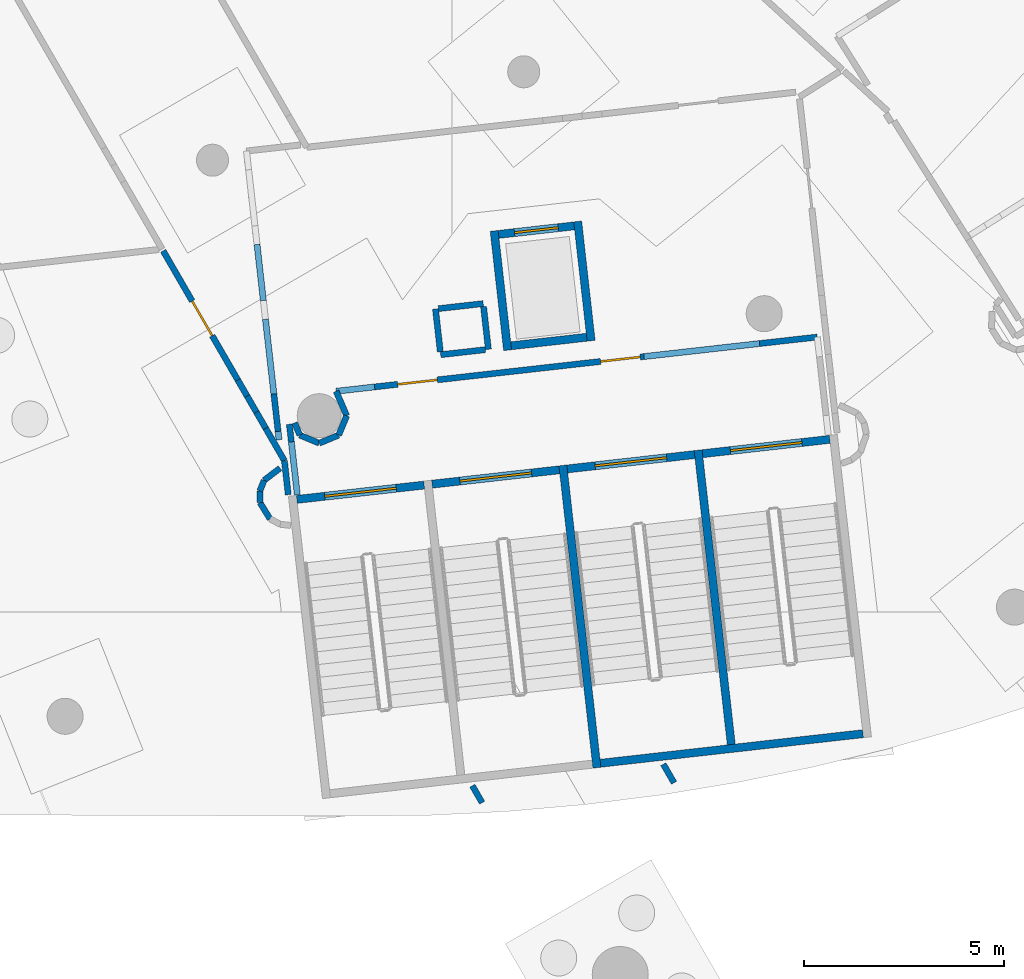
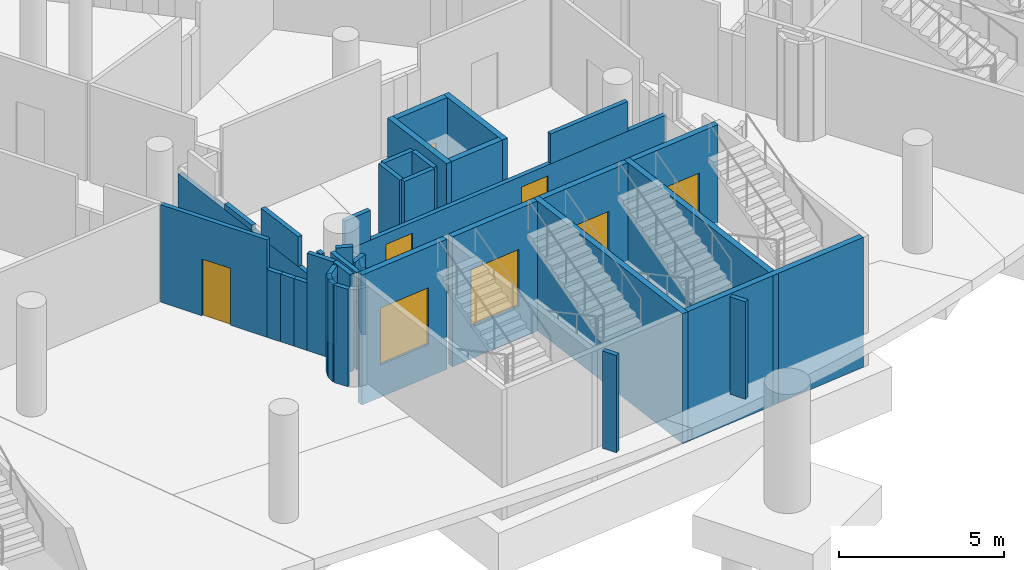
# One storey, part 52 of 142: 41 walls, 8 doors, 8 openings.
"""IFC4 building model written with IfcOpenShell, lengths in metres."""

from ifc_helpers import new_model, si_unit, direction, frame, frame_2d, origin, place, context, subcontext, project, spatial, rectangle, extrude, material, layer, layer_set, type_object, element, fill, save


model = new_model("IFC4")

# Units and contexts
model_context = context("Model", 3, precision=1e-05, world=origin(), true_north=direction((0.0, 1.0)))
body_context = subcontext(model_context, "Body", "Model", "MODEL_VIEW")
ifc_project = project(units=[si_unit("LENGTHUNIT", "METRE"), si_unit("AREAUNIT", "SQUARE_METRE"), si_unit("VOLUMEUNIT", "CUBIC_METRE"), si_unit("PLANEANGLEUNIT", "RADIAN"), si_unit("MASSUNIT", "GRAM", prefix="KILO")], contexts=[model_context])

# Site, building, storey
site_placement = place(None, origin())
site = spatial("IfcSite", under=ifc_project, at=site_placement, CompositionType="ELEMENT")
building_placement = place(site_placement, origin())
building = spatial("IfcBuilding", under=site, at=building_placement, Name="Meseta Stadium", CompositionType="ELEMENT")
storey_placement = place(building_placement, frame((0.0, 0.0, -4.0)))
storey = spatial("IfcBuildingStorey", under=building, at=storey_placement, Name="B1", CompositionType="ELEMENT", Elevation=-4.0)

# Walls
ifc_material_1 = material(Name="Concrete C40/50", Category="concrete")
ifc_layer_1 = layer(ifc_material_1, 0.199951171875)
ifc_layer_set_1 = layer_set([ifc_layer_1], Name="Core divider wall 200")
wall_type_1 = type_object("IfcWallType", Name="Core divider wall 200", PredefinedType="SHEAR", material=ifc_layer_set_1)
wall_1_placement = place(storey_placement, frame((54.999267578125, -99.503662109375, -1.199951171875), z_axis=(0.0, 0.0, 1.0), x_axis=(-0.111982724367, 0.993710153638, 0.0)))
element("IfcWall", 1, at=wall_1_placement, inside=storey, type_object=wall_type_1, Name="Core 26 B1 stair B divider wall", PredefinedType="SHEAR", context=body_context, shape_type="SweptSolid", body=[
    extrude(rectangle(XDim=7.60009765625, YDim=0.199951171875, at=frame_2d((3.800048828125, 0.0))), origin(), (0.0, 0.0, 1.0), 4.800048828125),
])
ifc_material_2 = material(Name="Concrete C40/50", Category="concrete")
ifc_layer_2 = layer(ifc_material_2, 0.199951171875)
ifc_layer_set_2 = layer_set([ifc_layer_2], Name="Core shaft wall 200")
wall_type_2 = type_object("IfcWallType", Name="Core shaft wall 200", PredefinedType="SHEAR", material=ifc_layer_set_2)
wall_2_placement = place(storey_placement, frame((51.62060546875, -99.884521484375, -1.199951171875), z_axis=(0.0, 0.0, 1.0), x_axis=(-0.111947429915, 0.993714130389, 0.0)))
element("IfcWall", 2, at=wall_2_placement, inside=storey, type_object=wall_type_2, Name="Core 26 B1 stair wall shared", PredefinedType="SHEAR", context=body_context, shape_type="SweptSolid", body=[
    extrude(rectangle(XDim=7.600341796875, YDim=0.199951171875, at=frame_2d((3.80029296875, 0.0))), origin(), (0.0, 0.0, 1.0), 4.800048828125),
])
wall_3_placement = place(storey_placement, frame((51.708740234375, -99.773681640625, -1.199951171875), z_axis=(0.0, 0.0, 1.0), x_axis=(0.993715690617, 0.111933579504, 0.0)))
element("IfcWall", 3, at=wall_3_placement, inside=storey, type_object=wall_type_2, Name="Core 26 B1 stair B outer end wall", PredefinedType="SHEAR", context=body_context, shape_type="SweptSolid", body=[
    extrude(rectangle(XDim=6.60009765625, YDim=0.199951171875, at=frame_2d((3.300048828125, 0.0))), origin(), (0.0, 0.0, 1.0), 4.800048828125),
])

# Wall, opening, door
wall_4_placement = place(storey_placement, frame((44.123046875, -93.181640625, -1.199951171875), z_axis=(0.0, 0.0, 1.0), x_axis=(0.993717005286, 0.11192190762, 0.0)))
wall_4 = element("IfcWall", 4, at=wall_4_placement, inside=storey, type_object=wall_type_2, Name="Core 26 B1 stair A1 inner end wall", PredefinedType="SHEAR", context=body_context, shape_type="SweptSolid", body=[
    extrude(rectangle(XDim=3.199951171875, YDim=0.199951171875, at=frame_2d((1.60009765625, 0.0))), origin(), (0.0, 0.0, 1.0), 4.800048828125),
])
opening_1_placement = place(wall_4_placement, frame((0.699951171875, 0.0, 1.199951171875)))
opening_1 = element("IfcOpeningElement", 5, at=opening_1_placement, cuts=wall_4, Name="Opening D341", PredefinedType="OPENING", context=body_context, shape_type="SweptSolid", body=[
    extrude(rectangle(XDim=1.800048828125, YDim=2.10009765625, at=frame_2d((0.89990234375, 1.050048828125))), frame((0.0, 0.10986328125, 0.0), z_axis=(0.0, -1.0, 0.0), x_axis=(1.0, 0.0, 0.0)), (0.0, 0.0, 1.0), 0.219970703125),
])
ifc_material_3 = material(Name="Steel", Category="steel")
door_type_1 = type_object("IfcDoorType", Name="Stair door 1800x2100", OperationType="DOUBLE_DOOR_SINGLE_SWING", PredefinedType="DOOR", material=ifc_material_3)
door_1_placement = place(opening_1_placement, origin())
door_1 = element("IfcDoor", 6, at=door_1_placement, inside=storey, type_object=door_type_1, Name="Stair A1 door 26 B1", OperationType="DOUBLE_DOOR_SINGLE_SWING", OverallHeight=2.10009765625, OverallWidth=1.800048828125, PredefinedType="DOOR", context=body_context, shape_type="SweptSolid", body=[
    extrude(rectangle(XDim=1.800048828125, YDim=2.10009765625, at=frame_2d((0.89990234375, 1.050048828125))), frame((0.0, 0.02490234375, 0.0), z_axis=(0.0, -1.0, 0.0), x_axis=(1.0, 0.0, 0.0)), (0.0, 0.0, 1.0), 0.050048828125),
])
fill(opening_1, door_1)

wall_5_placement = place(storey_placement, frame((47.501708984375, -92.801025390625, -1.199951171875), z_axis=(0.0, 0.0, 1.0), x_axis=(0.993707560215, 0.112005735442, 0.0)))
wall_5 = element("IfcWall", 7, at=wall_5_placement, inside=storey, type_object=wall_type_2, Name="Core 26 B1 stair A2 inner end wall", PredefinedType="SHEAR", context=body_context, shape_type="SweptSolid", body=[
    extrude(rectangle(XDim=3.19970703125, YDim=0.199951171875, at=frame_2d((1.599853515625, 0.0))), origin(), (0.0, 0.0, 1.0), 4.800048828125),
])
opening_2_placement = place(wall_5_placement, frame((0.699951171875, 0.0, 1.199951171875)))
opening_2 = element("IfcOpeningElement", 8, at=opening_2_placement, cuts=wall_5, Name="Opening D342", PredefinedType="OPENING", context=body_context, shape_type="SweptSolid", body=[
    extrude(rectangle(XDim=1.800048828125, YDim=2.10009765625, at=frame_2d((0.89990234375, 1.050048828125))), frame((0.0, 0.10986328125, 0.0), z_axis=(0.0, -1.0, 0.0), x_axis=(1.0, 0.0, 0.0)), (0.0, 0.0, 1.0), 0.219970703125),
])
door_2_placement = place(opening_2_placement, origin())
door_2 = element("IfcDoor", 9, at=door_2_placement, inside=storey, type_object=door_type_1, Name="Stair A2 door 26 B1", OperationType="DOUBLE_DOOR_SINGLE_SWING", OverallHeight=2.10009765625, OverallWidth=1.800048828125, PredefinedType="DOOR", context=body_context, shape_type="SweptSolid", body=[
    extrude(rectangle(XDim=1.800048828125, YDim=2.10009765625, at=frame_2d((0.89990234375, 1.050048828125))), frame((0.0, 0.02490234375, 0.0), z_axis=(0.0, -1.0, 0.0), x_axis=(1.0, 0.0, 0.0)), (0.0, 0.0, 1.0), 0.050048828125),
])
fill(opening_2, door_2)

wall_6_placement = place(storey_placement, frame((50.88037109375, -92.42041015625, -1.199951171875), z_axis=(0.0, 0.0, 1.0), x_axis=(0.993707560215, 0.112005735442, 0.0)))
wall_6 = element("IfcWall", 10, at=wall_6_placement, inside=storey, type_object=wall_type_2, Name="Core 26 B1 stair B1 inner end wall", PredefinedType="SHEAR", context=body_context, shape_type="SweptSolid", body=[
    extrude(rectangle(XDim=3.19970703125, YDim=0.199951171875, at=frame_2d((1.599853515625, 0.0))), origin(), (0.0, 0.0, 1.0), 4.800048828125),
])
opening_3_placement = place(wall_6_placement, frame((0.699951171875, 0.0, 1.199951171875)))
opening_3 = element("IfcOpeningElement", 11, at=opening_3_placement, cuts=wall_6, Name="Opening D343", PredefinedType="OPENING", context=body_context, shape_type="SweptSolid", body=[
    extrude(rectangle(XDim=1.800048828125, YDim=2.10009765625, at=frame_2d((0.89990234375, 1.050048828125))), frame((0.0, 0.10986328125, 0.0), z_axis=(0.0, -1.0, 0.0), x_axis=(1.0, 0.0, 0.0)), (0.0, 0.0, 1.0), 0.219970703125),
])
door_3_placement = place(opening_3_placement, origin())
door_3 = element("IfcDoor", 12, at=door_3_placement, inside=storey, type_object=door_type_1, Name="Stair B1 door 26 B1", OperationType="DOUBLE_DOOR_SINGLE_SWING", OverallHeight=2.10009765625, OverallWidth=1.800048828125, PredefinedType="DOOR", context=body_context, shape_type="SweptSolid", body=[
    extrude(rectangle(XDim=1.800048828125, YDim=2.10009765625, at=frame_2d((0.89990234375, 1.050048828125))), frame((0.0, 0.02490234375, 0.0), z_axis=(0.0, -1.0, 0.0), x_axis=(1.0, 0.0, 0.0)), (0.0, 0.0, 1.0), 0.050048828125),
])
fill(opening_3, door_3)

wall_7_placement = place(storey_placement, frame((54.2587890625, -92.03955078125, -1.199951171875), z_axis=(0.0, 0.0, 1.0), x_axis=(0.993717005286, 0.11192190762, 0.0)))
wall_7 = element("IfcWall", 13, at=wall_7_placement, inside=storey, type_object=wall_type_2, Name="Core 26 B1 stair B2 inner end wall", PredefinedType="SHEAR", context=body_context, shape_type="SweptSolid", body=[
    extrude(rectangle(XDim=3.199951171875, YDim=0.199951171875, at=frame_2d((1.60009765625, 0.0))), origin(), (0.0, 0.0, 1.0), 4.800048828125),
])
opening_4_placement = place(wall_7_placement, frame((0.699951171875, 0.0, 1.199951171875)))
opening_4 = element("IfcOpeningElement", 14, at=opening_4_placement, cuts=wall_7, Name="Opening D344", PredefinedType="OPENING", context=body_context, shape_type="SweptSolid", body=[
    extrude(rectangle(XDim=1.800048828125, YDim=2.10009765625, at=frame_2d((0.89990234375, 1.050048828125))), frame((0.0, 0.10986328125, 0.0), z_axis=(0.0, -1.0, 0.0), x_axis=(1.0, 0.0, 0.0)), (0.0, 0.0, 1.0), 0.219970703125),
])
door_4_placement = place(opening_4_placement, origin())
door_4 = element("IfcDoor", 15, at=door_4_placement, inside=storey, type_object=door_type_1, Name="Stair B2 door 26 B1", OperationType="DOUBLE_DOOR_SINGLE_SWING", OverallHeight=2.10009765625, OverallWidth=1.800048828125, PredefinedType="DOOR", context=body_context, shape_type="SweptSolid", body=[
    extrude(rectangle(XDim=1.800048828125, YDim=2.10009765625, at=frame_2d((0.89990234375, 1.050048828125))), frame((0.0, 0.02490234375, 0.0), z_axis=(0.0, -1.0, 0.0), x_axis=(1.0, 0.0, 0.0)), (0.0, 0.0, 1.0), 0.050048828125),
])
fill(opening_4, door_4)

# Walls
for number, where, z_axis, x_axis, name in (
    (16, (49.388671875, -89.45361328125, -1.199951171875), (0.0, 0.0, 1.0), (-0.111976588553, 0.993710845073, 0.0), "Core 26 B1 lift shaft wall left"),
    (17, (51.4755859375, -89.218505859375, -1.199951171875), (0.0, 0.0, 1.0), (-0.111976588553, 0.993710845073, 0.0), "Core 26 B1 lift shaft wall right"),
):
    element("IfcWall", number, at=place(storey_placement, frame(where, z_axis=z_axis, x_axis=x_axis)), inside=storey, type_object=wall_type_2, Name=name, PredefinedType="SHEAR", context=body_context, shape_type="SweptSolid", body=[
        extrude(rectangle(XDim=3.0, YDim=0.199951171875, at=frame_2d((1.5, 0.0))), origin(), (0.0, 0.0, 1.0), 4.800048828125),
    ])
wall_8_placement = place(storey_placement, frame((49.476806640625, -89.343017578125, -1.199951171875), z_axis=(0.0, 0.0, 1.0), x_axis=(0.993718105662, 0.11191213732, 0.0)))
element("IfcWall", 18, at=wall_8_placement, inside=storey, type_object=wall_type_2, Name="Core 26 B1 lift shaft back wall", PredefinedType="SHEAR", context=body_context, shape_type="SweptSolid", body=[
    extrude(rectangle(XDim=1.900146484375, YDim=0.199951171875, at=frame_2d((0.9501953125, 0.0))), origin(), (0.0, 0.0, 1.0), 4.800048828125),
])

# Wall, opening, door
wall_9_placement = place(storey_placement, frame((49.163330078125, -86.560791015625, -1.199951171875), z_axis=(0.0, 0.0, 1.0), x_axis=(0.993703808847, 0.112039012324, 0.0)))
wall_9 = element("IfcWall", 19, at=wall_9_placement, inside=storey, type_object=wall_type_2, Name="Core 26 B1 lift shaft front wall", PredefinedType="SHEAR", context=body_context, shape_type="SweptSolid", body=[
    extrude(rectangle(XDim=1.900146484375, YDim=0.199951171875, at=frame_2d((0.9501953125, 0.0))), origin(), (0.0, 0.0, 1.0), 4.800048828125),
])
opening_5_placement = place(wall_9_placement, frame((0.39990234375, 0.0, 1.199951171875)))
opening_5 = element("IfcOpeningElement", 20, at=opening_5_placement, cuts=wall_9, Name="Opening LD141", PredefinedType="OPENING", context=body_context, shape_type="SweptSolid", body=[
    extrude(rectangle(XDim=1.10009765625, YDim=2.10009765625, at=frame_2d((0.550048828125, 1.050048828125))), frame((0.0, 0.10986328125, 0.0), z_axis=(0.0, -1.0, 0.0), x_axis=(1.0, 0.0, 0.0)), (0.0, 0.0, 1.0), 0.219970703125),
])
ifc_material_4 = material(Name="Steel", Category="steel")
door_type_2 = type_object("IfcDoorType", Name="Lift landing door 1100x2100", OperationType="SLIDING_TO_LEFT", PredefinedType="DOOR", material=ifc_material_4)
door_5_placement = place(opening_5_placement, origin())
door_5 = element("IfcDoor", 21, at=door_5_placement, inside=storey, type_object=door_type_2, Name="Lift landing door LD141", OperationType="SLIDING_TO_LEFT", OverallHeight=2.10009765625, OverallWidth=1.10009765625, PredefinedType="DOOR", context=body_context, shape_type="SweptSolid", body=[
    extrude(rectangle(XDim=1.10009765625, YDim=2.10009765625, at=frame_2d((0.550048828125, 1.050048828125))), frame((0.0, 0.02490234375, 0.0), z_axis=(0.0, -1.0, 0.0), x_axis=(1.0, 0.0, 0.0)), (0.0, 0.0, 1.0), 0.050048828125),
])
fill(opening_5, door_5)

ifc_material_5 = material(Name="Masonry blockwork", Category="masonry")
ifc_layer_3 = layer(ifc_material_5, 0.14990234375)
ifc_layer_set_3 = layer_set([ifc_layer_3], Name="Partition 150")
wall_type_3 = type_object("IfcWallType", Name="Partition 150", PredefinedType="PARTITIONING", material=ifc_layer_set_3)
wall_10_placement = place(storey_placement, frame((40.783447265625, -86.9716796875, 0.0), z_axis=(0.0, 0.0, 1.0), x_axis=(0.50040316576, -0.865792510765, 0.0)))
wall_10 = element("IfcWall", 22, at=wall_10_placement, inside=storey, type_object=wall_type_3, Name="Partition B1 B1-cell24-3-0", PredefinedType="PARTITIONING", context=body_context, shape_type="SweptSolid", body=[
    extrude(rectangle(XDim=3.72509765625, YDim=0.14990234375, at=frame_2d((1.862548828125, 0.0))), origin(), (0.0, 0.0, 1.0), 3.60009765625),
])
opening_6_placement = place(wall_10_placement, frame((1.449951171875, 0.0, 0.0)))
opening_6 = element("IfcOpeningElement", 23, at=opening_6_placement, cuts=wall_10, Name="Opening D503", PredefinedType="OPENING", context=body_context, shape_type="SweptSolid", body=[
    extrude(rectangle(XDim=1.0, YDim=2.10009765625, at=frame_2d((0.5, 1.050048828125))), frame((0.0, 0.0849609375, 0.0), z_axis=(0.0, -1.0, 0.0), x_axis=(1.0, 0.0, 0.0)), (0.0, 0.0, 1.0), 0.169921875),
])
ifc_material_6 = material(Name="Steel", Category="steel")
door_type_3 = type_object("IfcDoorType", Name="Fire door 1000x2100 EI2 60", OperationType="NOTDEFINED", PredefinedType="DOOR", material=ifc_material_6)
door_6_placement = place(opening_6_placement, origin())
door_6 = element("IfcDoor", 24, at=door_6_placement, inside=storey, type_object=door_type_3, Name="Door D503", OperationType="SINGLE_SWING_RIGHT", OverallHeight=2.10009765625, OverallWidth=1.0, PredefinedType="DOOR", context=body_context, shape_type="SweptSolid", body=[
    extrude(rectangle(XDim=1.0, YDim=2.10009765625, at=frame_2d((0.5, 1.050048828125))), frame((0.0, 0.02490234375, 0.0), z_axis=(0.0, -1.0, 0.0), x_axis=(1.0, 0.0, 0.0)), (0.0, 0.0, 1.0), 0.050048828125),
])
fill(opening_6, door_6)

# Walls
for number, where, z_axis, x_axis, name in (
    (25, (42.6474609375, -90.19677734375, 0.0), (0.0, 0.0, 1.0), (0.500705555752, -0.865617667587, 0.0), "Partition B1 B1-cell24-3-0"),
    (26, (42.880615234375, -90.599853515625, 0.0), (0.0, 0.0, 1.0), (0.500312546965, -0.865844879496, 0.0), "Partition B1 B1-cell24-3-0"),
    (27, (43.113525390625, -91.0029296875, 0.0), (0.0, 0.0, 1.0), (0.500312546965, -0.865844879496, 0.0), "Partition B1 B1-cell24-3-0"),
):
    element("IfcWall", number, at=place(storey_placement, frame(where, z_axis=z_axis, x_axis=x_axis)), inside=storey, type_object=wall_type_3, Name=name, PredefinedType="PARTITIONING", context=body_context, shape_type="SweptSolid", body=[
        extrude(rectangle(XDim=0.465576171875, YDim=0.14990234375, at=frame_2d((0.23291015625, 0.0))), origin(), (0.0, 0.0, 1.0), 2.5),
    ])
wall_11_placement = place(storey_placement, frame((43.346435546875, -91.406005859375, 0.0), z_axis=(0.0, 0.0, 1.0), x_axis=(0.500395505551, -0.865796938101, 0.0)))
element("IfcWall", 28, at=wall_11_placement, inside=storey, type_object=wall_type_3, Name="Partition B1 B1-cell24-3-0", PredefinedType="PARTITIONING", context=body_context, shape_type="SweptSolid", body=[
    extrude(rectangle(XDim=0.931396484375, YDim=0.14990234375, at=frame_2d((0.4658203125, 0.0))), origin(), (0.0, 0.0, 1.0), 3.60009765625),
])
wall_12_placement = place(storey_placement, frame((43.8125, -92.21240234375, 0.0), z_axis=(0.0, 0.0, 1.0), x_axis=(0.112117924941, -0.993694908363, 0.0)))
element("IfcWall", 29, at=wall_12_placement, inside=storey, type_object=wall_type_3, Name="Partition B1 B1-cell24-3-0", PredefinedType="PARTITIONING", context=body_context, shape_type="SweptSolid", body=[
    extrude(rectangle(XDim=0.85791015625, YDim=0.14990234375, at=frame_2d((0.428955078125, 0.0))), origin(), (0.0, 0.0, 1.0), 3.60009765625),
])
wall_13_placement = place(storey_placement, frame((48.508056640625, -100.335693359375, 0.0), z_axis=(0.0, 0.0, 1.0), x_axis=(0.50016937228, -0.865927594567, 0.0)))
element("IfcWall", 30, at=wall_13_placement, inside=storey, type_object=wall_type_3, Name="Partition B1 B1-cell24-3-0", PredefinedType="PARTITIONING", context=body_context, shape_type="SweptSolid", body=[
    extrude(rectangle(XDim=0.488525390625, YDim=0.14990234375, at=frame_2d((0.244140625, 0.0))), origin(), (0.0, 0.0, 1.0), 3.60009765625),
])
wall_14_placement = place(storey_placement, frame((53.547119140625, -100.260986328125, 0.0), z_axis=(0.0, 0.0, 1.0), x_axis=(-0.500460168826, 0.86575956213, 0.0)))
element("IfcWall", 31, at=wall_14_placement, inside=storey, type_object=wall_type_3, Name="Partition B1 B1-cell25-3-0", PredefinedType="PARTITIONING", context=body_context, shape_type="SweptSolid", body=[
    extrude(rectangle(XDim=0.53466796875, YDim=0.14990234375, at=frame_2d((0.267333984375, 0.0))), origin(), (0.0, 0.0, 1.0), 3.60009765625),
])
wall_15_placement = place(storey_placement, frame((47.7158203125, -89.566650390625, 0.0), z_axis=(0.0, 0.0, 1.0), x_axis=(0.993710504932, 0.11197960702, 0.0)))
element("IfcWall", 32, at=wall_15_placement, inside=storey, type_object=wall_type_3, Name="Pressurisation shaft wall B1 core 26", PredefinedType="PARTITIONING", context=body_context, shape_type="SweptSolid", body=[
    extrude(rectangle(XDim=1.125, YDim=0.14990234375, at=frame_2d((0.5625, 0.0))), origin(), (0.0, 0.0, 1.0), 3.60009765625),
])
wall_16_placement = place(storey_placement, frame((48.908203125, -89.432373046875, 0.0), z_axis=(0.0, 0.0, 1.0), x_axis=(-0.111951742856, 0.993713644503, 0.0)))
element("IfcWall", 33, at=wall_16_placement, inside=storey, type_object=wall_type_3, Name="Pressurisation shaft wall B1 core 26", PredefinedType="PARTITIONING", context=body_context, shape_type="SweptSolid", body=[
    extrude(rectangle(XDim=1.0751953125, YDim=0.14990234375, at=frame_2d((0.53759765625, 0.0))), origin(), (0.0, 0.0, 1.0), 3.60009765625),
])
wall_17_placement = place(storey_placement, frame((48.779541015625, -88.28955078125, 0.0), z_axis=(0.0, 0.0, 1.0), x_axis=(-0.993710504932, -0.11197960702, 0.0)))
element("IfcWall", 34, at=wall_17_placement, inside=storey, type_object=wall_type_3, Name="Pressurisation shaft wall B1 core 26", PredefinedType="PARTITIONING", context=body_context, shape_type="SweptSolid", body=[
    extrude(rectangle(XDim=1.125, YDim=0.14990234375, at=frame_2d((0.5625, 0.0))), origin(), (0.0, 0.0, 1.0), 3.60009765625),
])
wall_18_placement = place(storey_placement, frame((47.587158203125, -88.423828125, 0.0), z_axis=(0.0, 0.0, 1.0), x_axis=(0.111951742856, -0.993713644503, 0.0)))
element("IfcWall", 35, at=wall_18_placement, inside=storey, type_object=wall_type_3, Name="Pressurisation shaft wall B1 core 26", PredefinedType="PARTITIONING", context=body_context, shape_type="SweptSolid", body=[
    extrude(rectangle(XDim=1.0751953125, YDim=0.14990234375, at=frame_2d((0.53759765625, 0.0))), origin(), (0.0, 0.0, 1.0), 3.60009765625),
])
wall_19_placement = place(storey_placement, frame((43.936279296875, -91.30224609375, 0.0), z_axis=(0.0, 0.0, 1.0), x_axis=(0.112013353834, -0.993706701478, 0.0)))
element("IfcWall", 36, at=wall_19_placement, inside=storey, type_object=wall_type_3, Name="Stair vestibule wall B1 core 26", PredefinedType="PARTITIONING", context=body_context, shape_type="SweptSolid", body=[
    extrude(rectangle(XDim=1.778564453125, YDim=0.14990234375, at=frame_2d((0.88916015625, 0.0))), origin(), (0.0, 0.0, 1.0), 2.5),
])
wall_20_placement = place(storey_placement, frame((43.986083984375, -91.744140625, 2.5), z_axis=(0.0, 0.0, 1.0), x_axis=(0.112018447214, -0.993706127325, 0.0)))
element("IfcWall", 37, at=wall_20_placement, inside=storey, type_object=wall_type_3, Name="Stair vestibule wall B1 core 26", PredefinedType="PARTITIONING", context=body_context, shape_type="SweptSolid", body=[
    extrude(rectangle(XDim=1.333740234375, YDim=0.14990234375, at=frame_2d((0.6669921875, 0.0))), origin(), (0.0, 0.0, 1.0), 1.10009765625),
])

# Wall, openings, doors
wall_21_placement = place(storey_placement, frame((57.12548828125, -89.125244140625, 0.0), z_axis=(0.0, 0.0, 1.0), x_axis=(-0.993711991836, -0.111966411396, 0.0)))
wall_21 = element("IfcWall", 38, at=wall_21_placement, inside=storey, type_object=wall_type_3, Name="Stair vestibule wall B1 core 26", PredefinedType="PARTITIONING", context=body_context, shape_type="SweptSolid", body=[
    extrude(rectangle(XDim=12.097412109375, YDim=0.14990234375, at=frame_2d((6.048828125, 0.0))), origin(), (0.0, 0.0, 1.0), 2.5),
])
opening_7_placement = place(wall_21_placement, frame((9.550048828125, 0.0, 0.0)))
opening_7 = element("IfcOpeningElement", 39, at=opening_7_placement, cuts=wall_21, Name="Opening D740", PredefinedType="OPENING", context=body_context, shape_type="SweptSolid", body=[
    extrude(rectangle(XDim=1.0, YDim=2.10009765625, at=frame_2d((0.5, 1.050048828125))), frame((0.0, 0.0849609375, 0.0), z_axis=(0.0, -1.0, 0.0), x_axis=(1.0, 0.0, 0.0)), (0.0, 0.0, 1.0), 0.169921875),
])
opening_8_placement = place(wall_21_placement, frame((4.449951171875, 0.0, 0.0)))
opening_8 = element("IfcOpeningElement", 40, at=opening_8_placement, cuts=wall_21, Name="Opening D741", PredefinedType="OPENING", context=body_context, shape_type="SweptSolid", body=[
    extrude(rectangle(XDim=1.0, YDim=2.10009765625, at=frame_2d((0.5, 1.050048828125))), frame((0.0, 0.0849609375, 0.0), z_axis=(0.0, -1.0, 0.0), x_axis=(1.0, 0.0, 0.0)), (0.0, 0.0, 1.0), 0.169921875),
])
door_7_placement = place(opening_7_placement, origin())
door_7 = element("IfcDoor", 41, at=door_7_placement, inside=storey, type_object=door_type_3, Name="Stair vestibule door B1 core 26", OperationType="SINGLE_SWING_RIGHT", OverallHeight=2.10009765625, OverallWidth=1.0, PredefinedType="DOOR", context=body_context, shape_type="SweptSolid", body=[
    extrude(rectangle(XDim=1.0, YDim=2.10009765625, at=frame_2d((0.5, 1.050048828125))), frame((0.0, 0.02490234375, 0.0), z_axis=(0.0, -1.0, 0.0), x_axis=(1.0, 0.0, 0.0)), (0.0, 0.0, 1.0), 0.050048828125),
])
fill(opening_7, door_7)
door_8_placement = place(opening_8_placement, origin())
door_8 = element("IfcDoor", 42, at=door_8_placement, inside=storey, type_object=door_type_3, Name="Stair vestibule door B1 core 26", OperationType="SINGLE_SWING_LEFT", OverallHeight=2.10009765625, OverallWidth=1.0, PredefinedType="DOOR", context=body_context, shape_type="SweptSolid", body=[
    extrude(rectangle(XDim=1.0, YDim=2.10009765625, at=frame_2d((0.5, 1.050048828125))), frame((0.0, 0.02490234375, 0.0), z_axis=(0.0, -1.0, 0.0), x_axis=(1.0, 0.0, 0.0)), (0.0, 0.0, 1.0), 0.050048828125),
])
fill(opening_8, door_8)

# Walls
wall_22_placement = place(storey_placement, frame((55.68310546875, -89.287841796875, 2.5), z_axis=(0.0, 0.0, 1.0), x_axis=(-0.993717530127, -0.111917247639, 0.0)))
element("IfcWall", 43, at=wall_22_placement, inside=storey, type_object=wall_type_3, Name="Stair vestibule wall B1 core 26", PredefinedType="PARTITIONING", context=body_context, shape_type="SweptSolid", body=[
    extrude(rectangle(XDim=2.903564453125, YDim=0.14990234375, at=frame_2d((1.45166015625, 0.0))), origin(), (0.0, 0.0, 1.0), 1.10009765625),
])
wall_23_placement = place(storey_placement, frame((46.06591796875, -90.37158203125, 2.5), z_axis=(0.0, 0.0, 1.0), x_axis=(-0.993735169268, -0.111760517894, 0.0)))
element("IfcWall", 44, at=wall_23_placement, inside=storey, type_object=wall_type_3, Name="Stair vestibule wall B1 core 26", PredefinedType="PARTITIONING", context=body_context, shape_type="SweptSolid", body=[
    extrude(rectangle(XDim=0.9677734375, YDim=0.14990234375, at=frame_2d((0.48388671875, 0.0))), origin(), (0.0, 0.0, 1.0), 1.10009765625),
])
wall_24_placement = place(storey_placement, frame((45.104248046875, -90.479736328125, 0.0), z_axis=(0.0, 0.0, 1.0), x_axis=(0.396569283197, -0.91800479499, 0.0)))
element("IfcWall", 45, at=wall_24_placement, inside=storey, type_object=wall_type_3, Name="Stair vestibule wall B1 core 26", PredefinedType="PARTITIONING", context=body_context, shape_type="SweptSolid", body=[
    extrude(rectangle(XDim=0.666748046875, YDim=0.14990234375, at=frame_2d((0.33349609375, 0.0))), origin(), (0.0, 0.0, 1.0), 2.5),
])
wall_25_placement = place(storey_placement, frame((45.36865234375, -91.091796875, 0.0), z_axis=(0.0, 0.0, 1.0), x_axis=(-0.382598443037, -0.923914731664, 0.0)))
element("IfcWall", 46, at=wall_25_placement, inside=storey, type_object=wall_type_3, Name="Stair vestibule wall B1 core 26", PredefinedType="PARTITIONING", context=body_context, shape_type="SweptSolid", body=[
    extrude(rectangle(XDim=0.5244140625, YDim=0.14990234375, at=frame_2d((0.26220703125, 0.0))), origin(), (0.0, 0.0, 1.0), 2.5),
])
wall_26_placement = place(storey_placement, frame((45.16796875, -91.576416015625, 0.0), z_axis=(0.0, 0.0, 1.0), x_axis=(-0.923954536818, -0.382502305735, 0.0)))
element("IfcWall", 47, at=wall_26_placement, inside=storey, type_object=wall_type_3, Name="Stair vestibule wall B1 core 26", PredefinedType="PARTITIONING", context=body_context, shape_type="SweptSolid", body=[
    extrude(rectangle(XDim=0.525390625, YDim=0.14990234375, at=frame_2d((0.2626953125, 0.0))), origin(), (0.0, 0.0, 1.0), 3.0),
])
wall_27_placement = place(storey_placement, frame((44.6826171875, -91.77734375, 0.0), z_axis=(0.0, 0.0, 1.0), x_axis=(-0.923954536818, 0.382502305735, 0.0)))
element("IfcWall", 48, at=wall_27_placement, inside=storey, type_object=wall_type_3, Name="Stair vestibule wall B1 core 26", PredefinedType="PARTITIONING", context=body_context, shape_type="SweptSolid", body=[
    extrude(rectangle(XDim=0.525390625, YDim=0.14990234375, at=frame_2d((0.2626953125, 0.0))), origin(), (0.0, 0.0, 1.0), 3.60009765625),
])
wall_28_placement = place(storey_placement, frame((44.197265625, -91.576416015625, 0.0), z_axis=(0.0, 0.0, 1.0), x_axis=(-0.382954181317, 0.923767338139, 0.0)))
element("IfcWall", 49, at=wall_28_placement, inside=storey, type_object=wall_type_3, Name="Stair vestibule wall B1 core 26", PredefinedType="PARTITIONING", context=body_context, shape_type="SweptSolid", body=[
    extrude(rectangle(XDim=0.333984375, YDim=0.14990234375, at=frame_2d((0.1669921875, 0.0))), origin(), (0.0, 0.0, 1.0), 2.5),
])
wall_29_placement = place(storey_placement, frame((42.865478515625, -84.477783203125, 0.0), z_axis=(0.0, 0.0, 1.0), x_axis=(0.111977823114, -0.993710705956, 0.0)))
element("IfcWall", 50, at=wall_29_placement, inside=storey, type_object=wall_type_3, Name="Stair vestibule wall B1 core 26", PredefinedType="PARTITIONING", context=body_context, shape_type="SweptSolid", body=[
    extrude(rectangle(XDim=7.26025390625, YDim=0.14990234375, at=frame_2d((3.630126953125, 0.0))), origin(), (0.0, 0.0, 1.0), 2.5),
])
wall_30_placement = place(storey_placement, frame((43.128662109375, -86.81298828125, 2.5), z_axis=(0.0, 0.0, 1.0), x_axis=(0.112027737715, -0.993705079982, 0.0)))
element("IfcWall", 51, at=wall_30_placement, inside=storey, type_object=wall_type_3, Name="Stair vestibule wall B1 core 26", PredefinedType="PARTITIONING", context=body_context, shape_type="SweptSolid", body=[
    extrude(rectangle(XDim=1.409912109375, YDim=0.14990234375, at=frame_2d((0.705078125, 0.0))), origin(), (0.0, 0.0, 1.0), 0.199951171875),
])
wall_31_placement = place(storey_placement, frame((43.339111328125, -88.68115234375, 2.5), z_axis=(0.0, 0.0, 1.0), x_axis=(0.112070481518, -0.993700260226, 0.0)))
element("IfcWall", 52, at=wall_31_placement, inside=storey, type_object=wall_type_3, Name="Stair vestibule wall B1 core 26", PredefinedType="PARTITIONING", context=body_context, shape_type="SweptSolid", body=[
    extrude(rectangle(XDim=1.880126953125, YDim=0.14990234375, at=frame_2d((0.93994140625, 0.0))), origin(), (0.0, 0.0, 1.0), 1.10009765625),
])
wall_32_placement = place(storey_placement, frame((43.65478515625, -91.4833984375, 2.5), z_axis=(0.0, 0.0, 1.0), x_axis=(0.112597137897, -0.993640722061, 0.0)))
element("IfcWall", 53, at=wall_32_placement, inside=storey, type_object=wall_type_3, Name="Stair vestibule wall B1 core 26", PredefinedType="PARTITIONING", context=body_context, shape_type="SweptSolid", body=[
    extrude(rectangle(XDim=0.210205078125, YDim=0.14990234375, at=frame_2d((0.10498046875, 0.0))), origin(), (0.0, 0.0, 1.0), 1.10009765625),
])
wall_33_placement = place(storey_placement, frame((43.703857421875, -92.40087890625, 0.0), z_axis=(0.0, 0.0, 1.0), x_axis=(-0.795767393102, -0.605602391074, 0.0)))
element("IfcWall", 54, at=wall_33_placement, inside=storey, type_object=wall_type_3, Name="Stair vestibule wall B1 core 26", PredefinedType="PARTITIONING", context=body_context, shape_type="SweptSolid", body=[
    extrude(rectangle(XDim=0.500732421875, YDim=0.14990234375, at=frame_2d((0.25048828125, 0.0))), origin(), (0.0, 0.0, 1.0), 3.60009765625),
])
for number, where, z_axis, x_axis, name in (
    (55, (43.305419921875, -92.7041015625, 0.0), (0.0, 0.0, 1.0), (-0.369643945252, -0.929173478818, 0.0), "Stair vestibule wall B1 core 26"),
    (56, (43.198486328125, -92.972900390625, 0.0), (0.0, 0.0, 1.0), (0.014344515533, -0.999897112144, 0.0), "Stair vestibule wall B1 core 26"),
):
    element("IfcWall", number, at=place(storey_placement, frame(where, z_axis=z_axis, x_axis=x_axis)), inside=storey, type_object=wall_type_3, Name=name, PredefinedType="PARTITIONING", context=body_context, shape_type="SweptSolid", body=[
        extrude(rectangle(XDim=0.289306640625, YDim=0.14990234375, at=frame_2d((0.14453125, 0.0))), origin(), (0.0, 0.0, 1.0), 3.60009765625),
    ])
wall_34_placement = place(storey_placement, frame((43.20263671875, -93.26220703125, 0.0), z_axis=(0.0, 0.0, 1.0), x_axis=(0.526056545072, -0.850449593678, 0.0)))
element("IfcWall", 57, at=wall_34_placement, inside=storey, type_object=wall_type_3, Name="Stair vestibule wall B1 core 26", PredefinedType="PARTITIONING", context=body_context, shape_type="SweptSolid", body=[
    extrude(rectangle(XDim=0.4794921875, YDim=0.14990234375, at=frame_2d((0.23974609375, 0.0))), origin(), (0.0, 0.0, 1.0), 3.60009765625),
])

save(model, "model.ifc")
